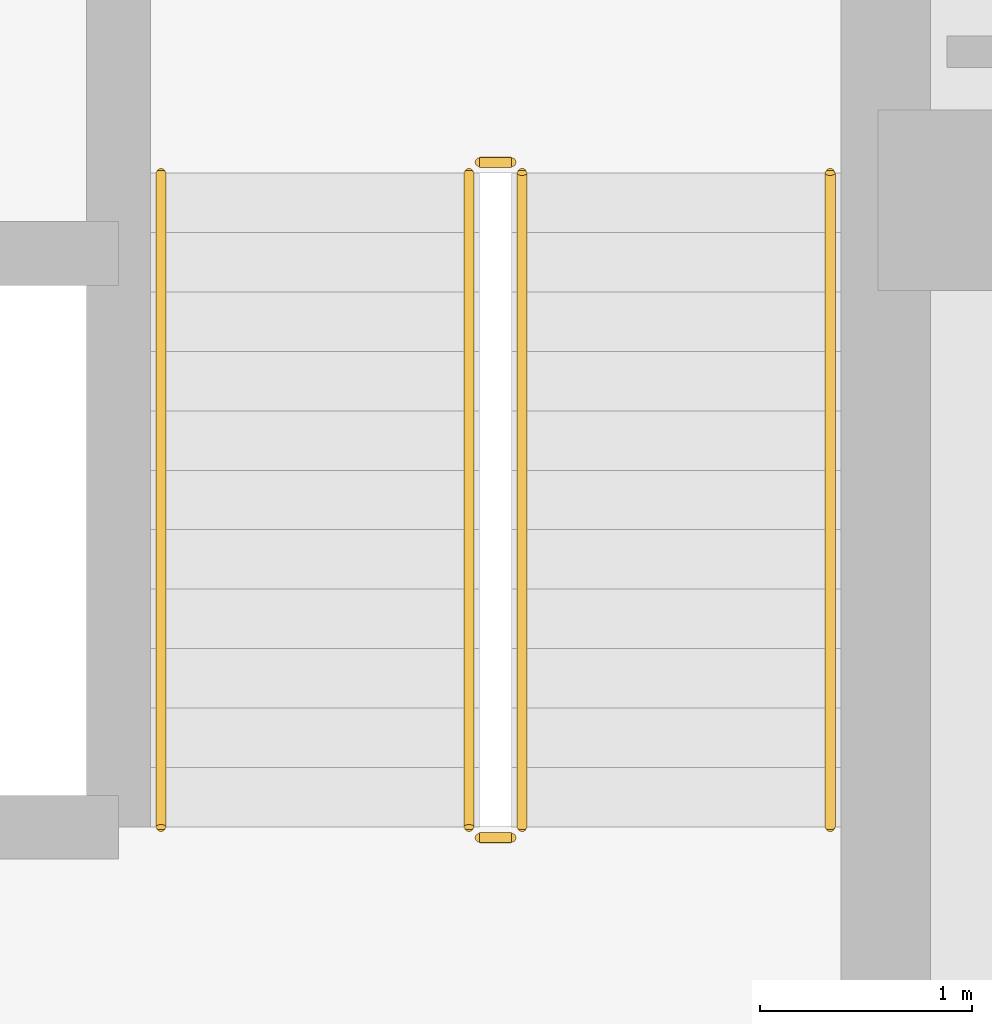
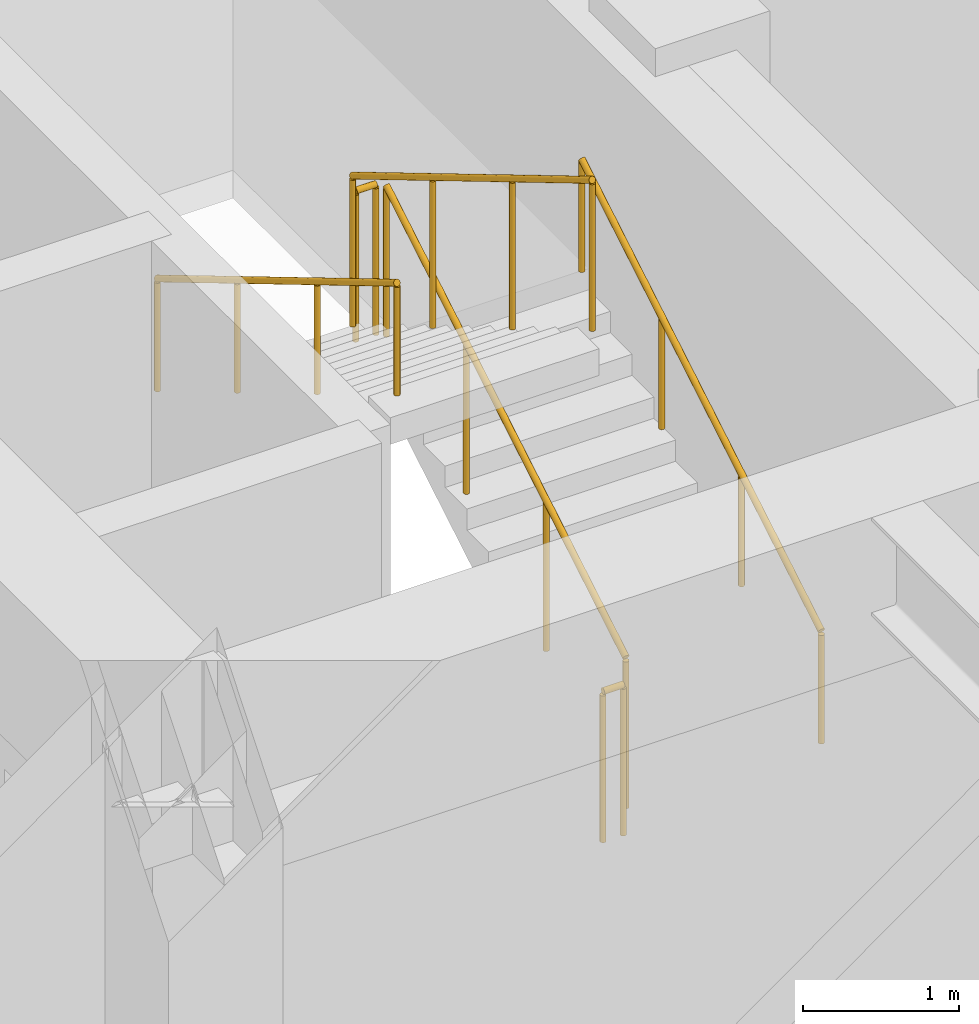
# One storey, part 25 of 28: 6 railings.
"""IFC4 building model written with IfcOpenShell, lengths in metres."""

from ifc_helpers import new_model, si_unit, direction, frame, origin, origin_2d, place, context, subcontext, project, spatial, circle, extrude, source, transform, mapped, material, type_object, element, save


model = new_model("IFC4")

# Units and contexts
model_context = context("Model", 3, precision=1e-05, world=origin(), true_north=direction((0.0, 1.0)))
body_context = subcontext(model_context, "Body", "Model", "MODEL_VIEW")
ifc_project = project(units=[si_unit("LENGTHUNIT", "METRE"), si_unit("AREAUNIT", "SQUARE_METRE"), si_unit("VOLUMEUNIT", "CUBIC_METRE"), si_unit("PLANEANGLEUNIT", "RADIAN"), si_unit("MASSUNIT", "GRAM", prefix="KILO")], contexts=[model_context])

# Site, building, storey
site_placement = place(None, origin())
site = spatial("IfcSite", under=ifc_project, at=site_placement, CompositionType="ELEMENT")
building_placement = place(site_placement, origin())
building = spatial("IfcBuilding", under=site, at=building_placement, Name="Khorayat Bourse Tower", CompositionType="ELEMENT")
storey_placement = place(building_placement, frame((0.0, 0.0, 191.10009765625)))
storey = spatial("IfcBuildingStorey", under=building, at=storey_placement, Name="L44", CompositionType="ELEMENT", Elevation=191.10009765625)

# Railings
ifc_material_1 = material(Name="Powder-coated steel balustrade", Category="steel")
railing_type_1 = type_object("IfcRailingType", Name="RLG-GUARD-1200", PredefinedType="GUARDRAIL", material=ifc_material_1)
shared_shape_1 = source(origin(), body_context, "Body", "SweptSolid", [
    extrude(circle(Radius=0.02392578125, at=origin_2d()), frame((0.0, 0.0, 1.17578125), z_axis=(-1.0, 0.0, 0.0), x_axis=(0.0, -1.0, 0.0)), (0.0, 0.0, 1.0), 0.150146484375),
    extrude(circle(Radius=0.02099609375, at=origin_2d()), origin(), (0.0, 0.0, 1.0), 1.15185546875),
    extrude(circle(Radius=0.02099609375, at=origin_2d()), frame((-0.150146484375, 0.0, 0.0)), (0.0, 0.0, 1.0), 1.15185546875),
])
for number, where, name in (
    (1, (-6.64990234375, -5.820068359375, 2.0), "L44 ST-1 stair guard 2"),
    (2, (-6.64990234375, -9.0, 0.0), "L44 ST-1 stair guard 4"),
):
    element("IfcRailing", number, at=place(storey_placement, frame(where)), inside=storey, type_object=railing_type_1, Name=name, PredefinedType="GUARDRAIL", context=body_context, shape_type="MappedRepresentation", body=[
        mapped(shared_shape_1, transform((0.0, 0.0, 0.0), scale=1.0)),
    ])
shared_shape_2 = source(origin(), body_context, "Body", "SweptSolid", [
    extrude(circle(Radius=0.02392578125, at=origin_2d()), frame((0.0, 0.0, 1.17578125), z_axis=(0.0, 0.859260807169, 0.511537745687), x_axis=(-1.0, 0.0, 0.0)), (0.0, 0.0, 1.0), 3.584228515625),
    extrude(circle(Radius=0.02099609375, at=origin_2d()), origin(), (0.0, 0.0, 1.0), 1.15185546875),
    extrude(circle(Radius=0.02099609375, at=origin_2d()), frame((0.0, 1.026611328125, 0.611083984375)), (0.0, 0.0, 1.0), 1.15185546875),
    extrude(circle(Radius=0.02099609375, at=origin_2d()), frame((0.0, 2.05322265625, 1.222412109375)), (0.0, 0.0, 1.0), 1.15185546875),
    extrude(circle(Radius=0.02099609375, at=origin_2d()), frame((0.0, 3.079833984375, 1.83349609375)), (0.0, 0.0, 1.0), 1.15185546875),
])
railing_1_placement = place(storey_placement, frame((-6.60009765625, -8.949951171875, 0.16650390625)))
element("IfcRailing", 3, at=railing_1_placement, inside=storey, type_object=railing_type_1, Name="L44 ST-1 stair guard 1", PredefinedType="GUARDRAIL", context=body_context, shape_type="MappedRepresentation", body=[
    mapped(shared_shape_2, transform((0.0, 0.0, 0.0), scale=1.0)),
])
shared_shape_3 = source(origin(), body_context, "Body", "SweptSolid", [
    extrude(circle(Radius=0.02392578125, at=origin_2d()), frame((0.0, 0.0, 1.17578125), z_axis=(0.0, -0.859260807169, 0.511537745687), x_axis=(1.0, 0.0, 0.0)), (0.0, 0.0, 1.0), 3.584228515625),
    extrude(circle(Radius=0.02099609375, at=origin_2d()), origin(), (0.0, 0.0, 1.0), 1.15185546875),
    extrude(circle(Radius=0.02099609375, at=origin_2d()), frame((0.0, -1.026611328125, 0.611083984375)), (0.0, 0.0, 1.0), 1.15185546875),
    extrude(circle(Radius=0.02099609375, at=origin_2d()), frame((0.0, -2.05322265625, 1.222412109375)), (0.0, 0.0, 1.0), 1.15185546875),
    extrude(circle(Radius=0.02099609375, at=origin_2d()), frame((0.0, -3.079833984375, 1.83349609375)), (0.0, 0.0, 1.0), 1.15185546875),
])
railing_2_placement = place(storey_placement, frame((-6.85009765625, -5.8701171875, 2.16650390625)))
element("IfcRailing", 4, at=railing_2_placement, inside=storey, type_object=railing_type_1, Name="L44 ST-1 stair guard 3", PredefinedType="GUARDRAIL", context=body_context, shape_type="MappedRepresentation", body=[
    mapped(shared_shape_3, transform((0.0, 0.0, 0.0), scale=1.0)),
])
ifc_material_2 = material(Name="Brushed bronze stainless-steel handrail", Category="steel")
railing_type_2 = type_object("IfcRailingType", Name="RLG-HAND-900", PredefinedType="HANDRAIL", material=ifc_material_2)
shared_shape_4 = source(origin(), body_context, "Body", "SweptSolid", [
    extrude(circle(Radius=0.02392578125, at=origin_2d()), frame((0.0, 0.0, 0.8759765625), z_axis=(0.0, 0.859260807169, 0.511537745687), x_axis=(-1.0, 0.0, 0.0)), (0.0, 0.0, 1.0), 3.584228515625),
    extrude(circle(Radius=0.02099609375, at=origin_2d()), origin(), (0.0, 0.0, 1.0), 0.851806640625),
    extrude(circle(Radius=0.02099609375, at=origin_2d()), frame((0.0, 1.026611328125, 0.611083984375)), (0.0, 0.0, 1.0), 0.851806640625),
    extrude(circle(Radius=0.02099609375, at=origin_2d()), frame((0.0, 2.05322265625, 1.222412109375)), (0.0, 0.0, 1.0), 0.851806640625),
    extrude(circle(Radius=0.02099609375, at=origin_2d()), frame((0.0, 3.079833984375, 1.83349609375)), (0.0, 0.0, 1.0), 0.851806640625),
])
railing_3_placement = place(storey_placement, frame((-5.14990234375, -8.949951171875, 0.16650390625)))
element("IfcRailing", 5, at=railing_3_placement, inside=storey, type_object=railing_type_2, Name="L44 ST-1 stair handrail 1", PredefinedType="HANDRAIL", context=body_context, shape_type="MappedRepresentation", body=[
    mapped(shared_shape_4, transform((0.0, 0.0, 0.0), scale=1.0)),
])
shared_shape_5 = source(origin(), body_context, "Body", "SweptSolid", [
    extrude(circle(Radius=0.02392578125, at=origin_2d()), frame((0.0, 0.0, 0.8759765625), z_axis=(0.0, -0.859260807169, 0.511537745687), x_axis=(1.0, 0.0, 0.0)), (0.0, 0.0, 1.0), 3.584228515625),
    extrude(circle(Radius=0.02099609375, at=origin_2d()), origin(), (0.0, 0.0, 1.0), 0.851806640625),
    extrude(circle(Radius=0.02099609375, at=origin_2d()), frame((0.0, -1.026611328125, 0.611083984375)), (0.0, 0.0, 1.0), 0.851806640625),
    extrude(circle(Radius=0.02099609375, at=origin_2d()), frame((0.0, -2.05322265625, 1.222412109375)), (0.0, 0.0, 1.0), 0.851806640625),
    extrude(circle(Radius=0.02099609375, at=origin_2d()), frame((0.0, -3.079833984375, 1.83349609375)), (0.0, 0.0, 1.0), 0.851806640625),
])
railing_4_placement = place(storey_placement, frame((-8.300048828125, -5.8701171875, 2.16650390625)))
element("IfcRailing", 6, at=railing_4_placement, inside=storey, type_object=railing_type_2, Name="L44 ST-1 stair handrail 2", PredefinedType="HANDRAIL", context=body_context, shape_type="MappedRepresentation", body=[
    mapped(shared_shape_5, transform((0.0, 0.0, 0.0), scale=1.0)),
])

save(model, "model.ifc")
